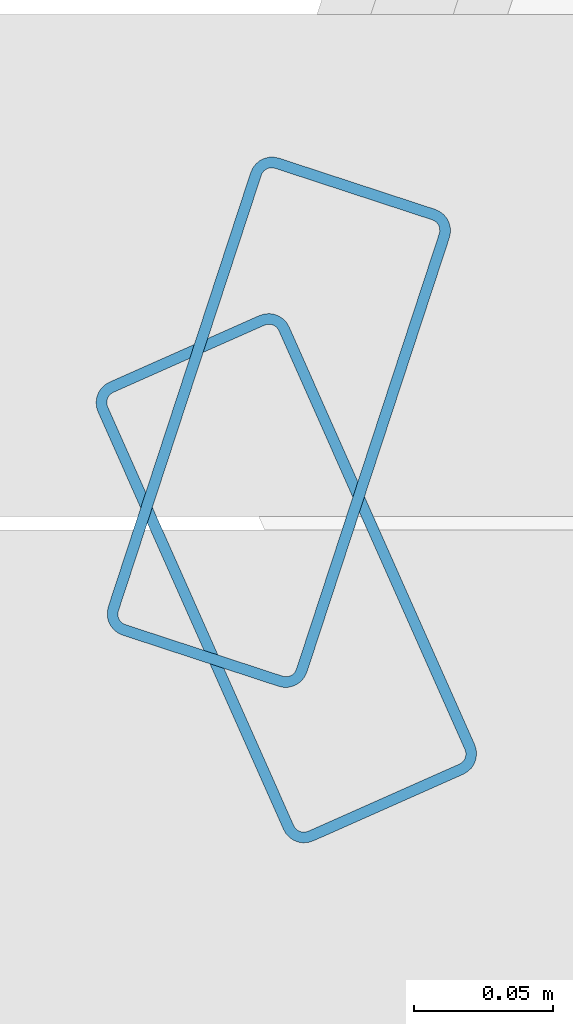
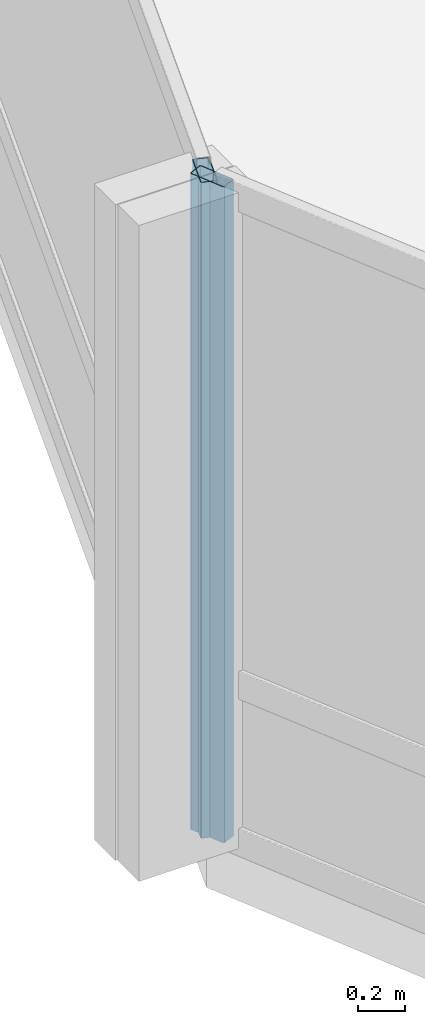
# One storey, part 6 of 28: 2 members, 2 elements without a shape of their own.
"""IFC4 building model written with IfcOpenShell, lengths in metres."""

from ifc_helpers import new_model, si_unit, direction, frame, origin, origin_2d, place, context, subcontext, project, spatial, hollow_rectangle, extrude, material, layer, layer_set, material_profile, profile_set, type_object, element, aggregate, save


model = new_model("IFC4")

# Units and contexts
model_context = context("Model", 3, precision=1e-05, world=origin(), true_north=direction((0.0, 1.0)))
body_context = subcontext(model_context, "Body", "Model", "MODEL_VIEW")
ifc_project = project(units=[si_unit("LENGTHUNIT", "METRE"), si_unit("AREAUNIT", "SQUARE_METRE"), si_unit("VOLUMEUNIT", "CUBIC_METRE"), si_unit("PLANEANGLEUNIT", "RADIAN"), si_unit("MASSUNIT", "GRAM", prefix="KILO")], contexts=[model_context])

# Site, building, storey
site_placement = place(None, origin())
site = spatial("IfcSite", under=ifc_project, at=site_placement, CompositionType="ELEMENT")
building_placement = place(site_placement, origin())
building = spatial("IfcBuilding", under=site, at=building_placement, Name="Solvaryn Broadcast Tower", CompositionType="ELEMENT")
storey_placement = place(building_placement, frame((0.0, 0.0, 132.199951171875)))
storey = spatial("IfcBuildingStorey", under=building, at=storey_placement, Name="L32", CompositionType="ELEMENT", Elevation=132.199951171875)

# Curtain wall, member
ifc_material_1 = material(Name="Aluminium and Terracotta Unitised Curtain Wall", Category="masonry")
ifc_layer = layer(ifc_material_1, 0.199951171875)
ifc_layer_set = layer_set([ifc_layer], Name="CW-SYS2-LOWMID")
curtain_wall_type = type_object("IfcCurtainWallType", Name="CW-SYS2-LOWMID", PredefinedType="NOTDEFINED", material=ifc_layer_set)
curtain_wall_1_placement = place(storey_placement, origin())
curtain_wall_1 = element("IfcCurtainWall", 1, at=curtain_wall_1_placement, inside=storey, type_object=curtain_wall_type, Name="L32 Curtain Wall DR1", PredefinedType="NOTDEFINED")
ifc_material_2 = material(Name="Anodised Aluminium 6063-T6", Category="aluminium")
ifc_material_profile = material_profile(ifc_material_2, hollow_rectangle(XDim=0.074951171875, YDim=0.179931640625, WallThickness=0.00390625, InnerFilletRadius=0.00390625, OuterFilletRadius=0.008056640625, at=origin_2d()))
ifc_profile_set = profile_set([ifc_material_profile], Name="Anodised Aluminium 6063-T6")
member_type = type_object("IfcMemberType", Name="CW-MUL-180", PredefinedType="MULLION", material=ifc_profile_set)
member_1_placement = place(storey_placement, frame((1.04345703125, 26.66455078125, 0.0), z_axis=(0.0, 0.0, 1.0), x_axis=(0.950198260794, -0.311646057547, 0.0)))
member_1 = element("IfcMember", 2, at=member_1_placement, type_object=member_type, Name="CWS2 mullion 2", PredefinedType="MULLION", context=body_context, shape_type="SweptSolid", body=[
    extrude(hollow_rectangle(XDim=0.074951171875, YDim=0.179931640625, WallThickness=0.00390625, InnerFilletRadius=0.00390625, OuterFilletRadius=0.008056640625, at=origin_2d()), origin(), (0.0, 0.0, 1.0), 3.420166015625),
])
aggregate(curtain_wall_1, [member_1])

curtain_wall_2_placement = place(storey_placement, origin())
curtain_wall_2 = element("IfcCurtainWall", 3, at=curtain_wall_2_placement, inside=storey, type_object=curtain_wall_type, Name="L32 Curtain Wall DR2", PredefinedType="NOTDEFINED")
member_2_placement = place(storey_placement, frame((1.046142578125, 26.608642578125, 0.0), z_axis=(0.0, 0.0, 1.0), x_axis=(0.913909311008, 0.405918429309, 0.0)))
member_2 = element("IfcMember", 4, at=member_2_placement, type_object=member_type, Name="CWS2 mullion 1", PredefinedType="MULLION", context=body_context, shape_type="SweptSolid", body=[
    extrude(hollow_rectangle(XDim=0.074951171875, YDim=0.179931640625, WallThickness=0.00390625, InnerFilletRadius=0.00390625, OuterFilletRadius=0.008056640625, at=origin_2d()), origin(), (0.0, 0.0, 1.0), 3.420166015625),
])
aggregate(curtain_wall_2, [member_2])

save(model, "model.ifc")
